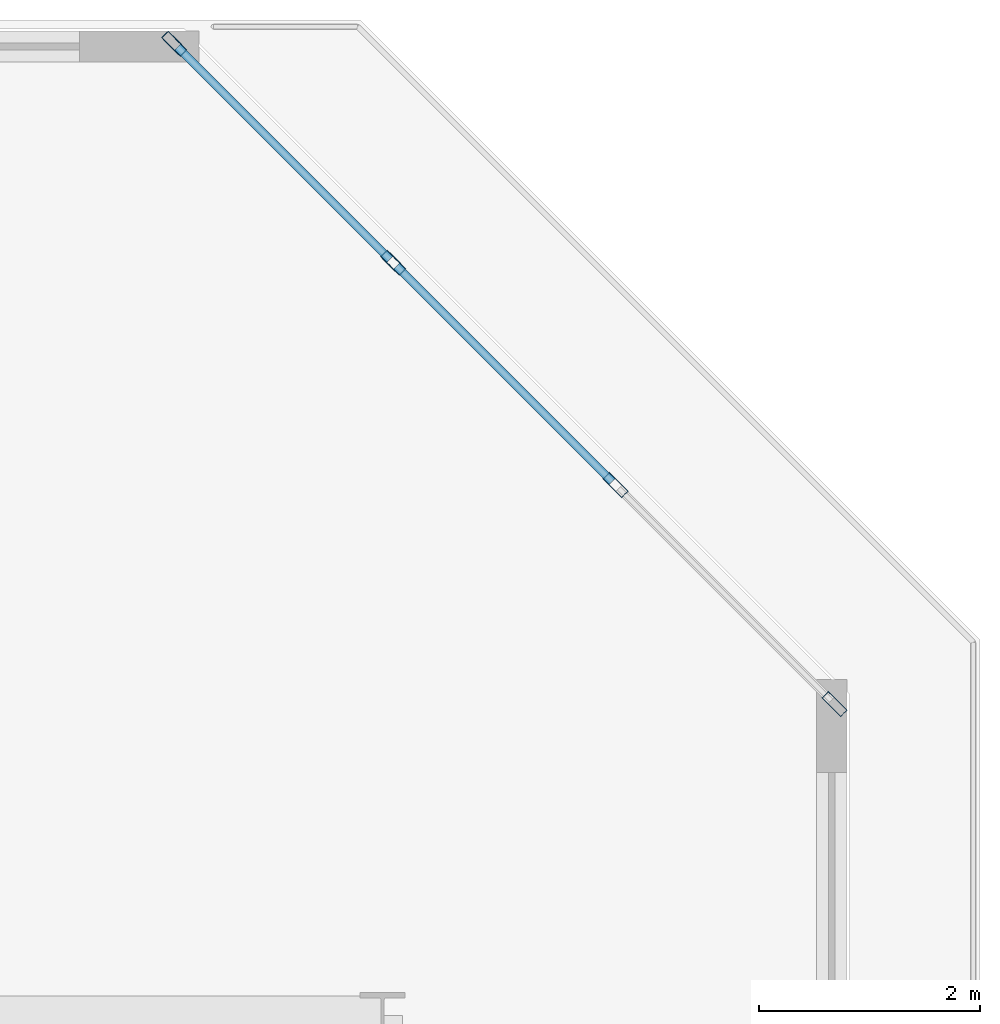
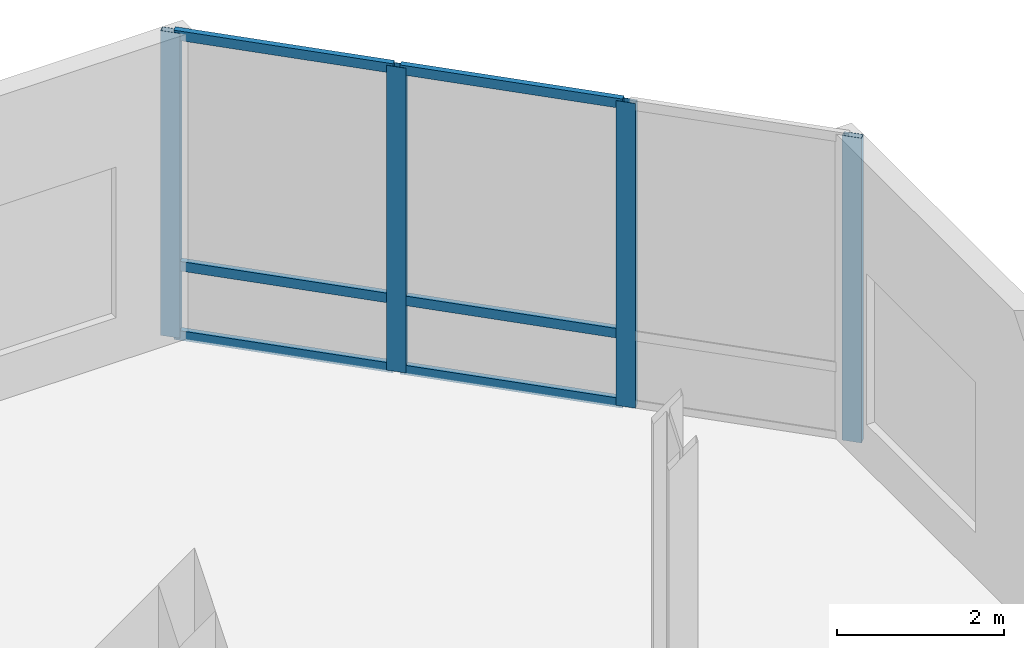
# One storey, part 4 of 12: 10 members, 1 element without a shape of its own.
"""IFC4 building model written with IfcOpenShell, lengths in metres."""

from ifc_helpers import new_model, si_unit, direction, frame, origin, origin_2d, place, context, subcontext, project, spatial, hollow_rectangle, extrude, material, layer, layer_set, material_profile, profile_set, type_object, element, aggregate, save


model = new_model("IFC4")

# Units and contexts
model_context = context("Model", 3, precision=1e-05, world=origin(), true_north=direction((0.0, 1.0)))
body_context = subcontext(model_context, "Body", "Model", "MODEL_VIEW")
ifc_project = project(units=[si_unit("LENGTHUNIT", "METRE"), si_unit("AREAUNIT", "SQUARE_METRE"), si_unit("VOLUMEUNIT", "CUBIC_METRE"), si_unit("PLANEANGLEUNIT", "RADIAN"), si_unit("MASSUNIT", "GRAM", prefix="KILO")], contexts=[model_context])

# Site, building, storey
site_placement = place(None, origin())
site = spatial("IfcSite", under=ifc_project, at=site_placement, CompositionType="ELEMENT")
building_placement = place(site_placement, origin())
building = spatial("IfcBuilding", under=site, at=building_placement, Name="Kestravale Grand Hotel", CompositionType="ELEMENT")
storey_placement = place(building_placement, frame((0.0, 0.0, 306.60009765625)))
storey = spatial("IfcBuildingStorey", under=building, at=storey_placement, Name="L76", CompositionType="ELEMENT", Elevation=306.60009765625)

# Curtain wall, members
ifc_material_1 = material(Name="Thermally broken champagne-bronze aluminium and low-E glazing", Category="aluminium")
ifc_layer = layer(ifc_material_1, 0.239990234375)
ifc_layer_set = layer_set([ifc_layer], Name="CW-OBS")
curtain_wall_type = type_object("IfcCurtainWallType", Name="CW-OBS", PredefinedType="NOTDEFINED", material=ifc_layer_set)
curtain_wall_placement = place(storey_placement, origin())
curtain_wall = element("IfcCurtainWall", 1, at=curtain_wall_placement, inside=storey, type_object=curtain_wall_type, Name="L76 unitised curtain wall 10", PredefinedType="NOTDEFINED")
ifc_material_2 = material(Name="Aluminium 6063-T6 anodised", Category="aluminium")
ifc_material_profile_1 = material_profile(ifc_material_2, hollow_rectangle(XDim=0.0849609375, YDim=0.239990234375, WallThickness=0.00439453125, at=origin_2d()))
ifc_profile_set_1 = profile_set([ifc_material_profile_1], Name="Aluminium 6063-T6 anodised")
member_type_1 = type_object("IfcMemberType", Name="CW-MUL-240", PredefinedType="MULLION", material=ifc_profile_set_1)
member_1_placement = place(storey_placement, frame((66.485107421875, 41.216796875, 0.0), z_axis=(0.0, 0.0, 1.0), x_axis=(-0.707106781187, -0.707106781187, 0.0)))
member_1 = element("IfcMember", 2, at=member_1_placement, type_object=member_type_1, Name="CW-OBS mullion 1", PredefinedType="MULLION", context=body_context, shape_type="SweptSolid", body=[
    extrude(hollow_rectangle(XDim=0.0849609375, YDim=0.239990234375, WallThickness=0.00439453125, at=origin_2d()), origin(), (0.0, 0.0, 1.0), 4.449951171875),
])
member_2_placement = place(storey_placement, frame((64.505615234375, 43.1962890625, 0.0), z_axis=(0.0, 0.0, 1.0), x_axis=(-0.707106781187, -0.707106781187, 0.0)))
member_2 = element("IfcMember", 3, at=member_2_placement, type_object=member_type_1, Name="CW-OBS mullion 2", PredefinedType="MULLION", context=body_context, shape_type="SweptSolid", body=[
    extrude(hollow_rectangle(XDim=0.0849609375, YDim=0.239990234375, WallThickness=0.00439453125, at=origin_2d()), origin(), (0.0, 0.0, 1.0), 4.449951171875),
])
member_3_placement = place(storey_placement, frame((62.496337890625, 45.205810546875, 0.0), z_axis=(0.0, 0.0, 1.0), x_axis=(-0.707106781187, -0.707106781187, 0.0)))
member_3 = element("IfcMember", 4, at=member_3_placement, type_object=member_type_1, Name="CW-OBS mullion 3", PredefinedType="MULLION", context=body_context, shape_type="SweptSolid", body=[
    extrude(hollow_rectangle(XDim=0.0849609375, YDim=0.239990234375, WallThickness=0.00439453125, at=origin_2d()), origin(), (0.0, 0.0, 1.0), 4.449951171875),
])
member_4_placement = place(storey_placement, frame((60.516845703125, 47.18505859375, 0.0), z_axis=(0.0, 0.0, 1.0), x_axis=(-0.707106781187, -0.707106781187, 0.0)))
member_4 = element("IfcMember", 5, at=member_4_placement, type_object=member_type_1, Name="CW-OBS mullion 4", PredefinedType="MULLION", context=body_context, shape_type="SweptSolid", body=[
    extrude(hollow_rectangle(XDim=0.0849609375, YDim=0.239990234375, WallThickness=0.00439453125, at=origin_2d()), origin(), (0.0, 0.0, 1.0), 4.449951171875),
])
ifc_material_3 = material(Name="Aluminium 6063-T6 anodised", Category="aluminium")
ifc_material_profile_2 = material_profile(ifc_material_3, hollow_rectangle(XDim=0.074951171875, YDim=0.139892578125, WallThickness=0.00341796875, at=origin_2d()))
ifc_profile_set_2 = profile_set([ifc_material_profile_2], Name="Aluminium 6063-T6 anodised")
member_type_2 = type_object("IfcMemberType", Name="CW-TRN-140", PredefinedType="USERDEFINED", material=ifc_profile_set_2)
member_5_placement = place(storey_placement, frame((64.4755859375, 43.226318359375, 0.037353515625), z_axis=(-0.707062499834, 0.707151059766, 0.0), x_axis=(-0.707151059766, -0.707062499834, 0.0)))
member_5 = element("IfcMember", 6, at=member_5_placement, type_object=member_type_2, Name="CW-OBS transom 2.1", ObjectType="TRANSOM", PredefinedType="USERDEFINED", context=body_context, shape_type="SweptSolid", body=[
    extrude(hollow_rectangle(XDim=0.074951171875, YDim=0.139892578125, WallThickness=0.00341796875, at=origin_2d()), origin(), (0.0, 0.0, 1.0), 2.7568359375),
])
member_6_placement = place(storey_placement, frame((64.4755859375, 43.226318359375, 1.0498046875), z_axis=(-0.707062499834, 0.707151059766, 0.0), x_axis=(-0.707151059766, -0.707062499834, 0.0)))
member_6 = element("IfcMember", 7, at=member_6_placement, type_object=member_type_2, Name="CW-OBS transom 2.2", ObjectType="TRANSOM", PredefinedType="USERDEFINED", context=body_context, shape_type="SweptSolid", body=[
    extrude(hollow_rectangle(XDim=0.074951171875, YDim=0.139892578125, WallThickness=0.00341796875, at=origin_2d()), origin(), (0.0, 0.0, 1.0), 2.7568359375),
])
member_7_placement = place(storey_placement, frame((64.4755859375, 43.226318359375, 4.412353515625), z_axis=(-0.707062499834, 0.707151059766, 0.0), x_axis=(-0.707151059766, -0.707062499834, 0.0)))
member_7 = element("IfcMember", 8, at=member_7_placement, type_object=member_type_2, Name="CW-OBS transom 2.3", ObjectType="TRANSOM", PredefinedType="USERDEFINED", context=body_context, shape_type="SweptSolid", body=[
    extrude(hollow_rectangle(XDim=0.074951171875, YDim=0.139892578125, WallThickness=0.00341796875, at=origin_2d()), origin(), (0.0, 0.0, 1.0), 2.7568359375),
])
member_8_placement = place(storey_placement, frame((62.46630859375, 45.23583984375, 0.037353515625), z_axis=(-0.707151752521, 0.707061806992, 0.0), x_axis=(-0.707061806992, -0.707151752521, 0.0)))
member_8 = element("IfcMember", 9, at=member_8_placement, type_object=member_type_2, Name="CW-OBS transom 3.1", ObjectType="TRANSOM", PredefinedType="USERDEFINED", context=body_context, shape_type="SweptSolid", body=[
    extrude(hollow_rectangle(XDim=0.074951171875, YDim=0.139892578125, WallThickness=0.00341796875, at=origin_2d()), origin(), (0.0, 0.0, 1.0), 2.71435546875),
])
member_9_placement = place(storey_placement, frame((62.46630859375, 45.23583984375, 1.0498046875), z_axis=(-0.707151752521, 0.707061806992, 0.0), x_axis=(-0.707061806992, -0.707151752521, 0.0)))
member_9 = element("IfcMember", 10, at=member_9_placement, type_object=member_type_2, Name="CW-OBS transom 3.2", ObjectType="TRANSOM", PredefinedType="USERDEFINED", context=body_context, shape_type="SweptSolid", body=[
    extrude(hollow_rectangle(XDim=0.074951171875, YDim=0.139892578125, WallThickness=0.00341796875, at=origin_2d()), origin(), (0.0, 0.0, 1.0), 2.71435546875),
])
member_10_placement = place(storey_placement, frame((62.46630859375, 45.23583984375, 4.412353515625), z_axis=(-0.707151752521, 0.707061806992, 0.0), x_axis=(-0.707061806992, -0.707151752521, 0.0)))
member_10 = element("IfcMember", 11, at=member_10_placement, type_object=member_type_2, Name="CW-OBS transom 3.3", ObjectType="TRANSOM", PredefinedType="USERDEFINED", context=body_context, shape_type="SweptSolid", body=[
    extrude(hollow_rectangle(XDim=0.074951171875, YDim=0.139892578125, WallThickness=0.00341796875, at=origin_2d()), origin(), (0.0, 0.0, 1.0), 2.71435546875),
])
aggregate(curtain_wall, [member_1, member_2, member_3, member_4, member_5, member_6, member_7, member_8, member_9, member_10])

save(model, "model.ifc")
